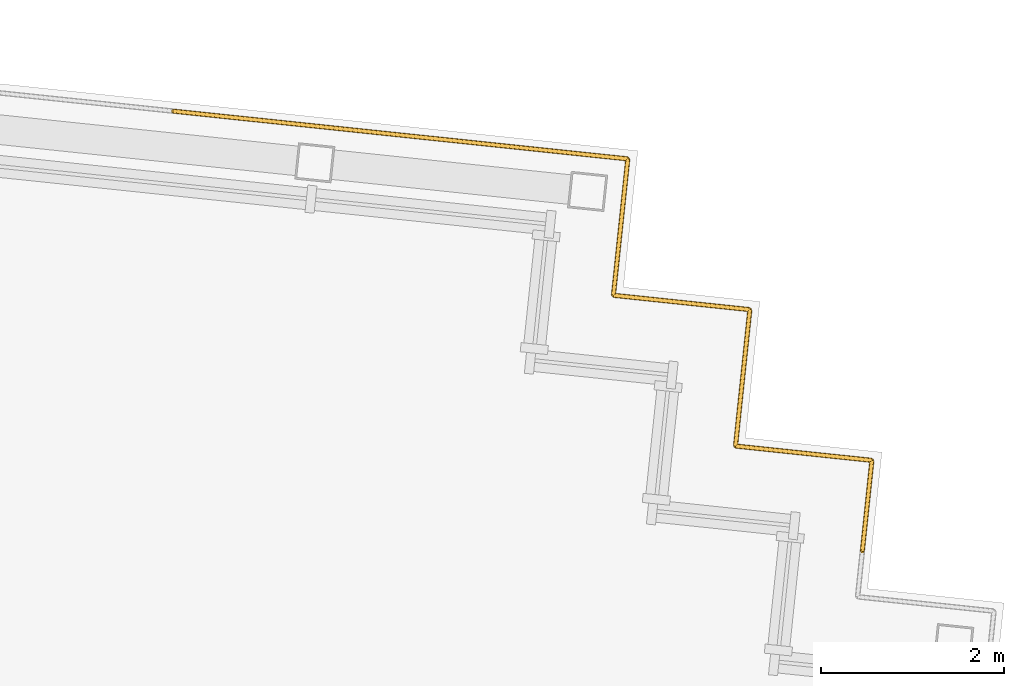
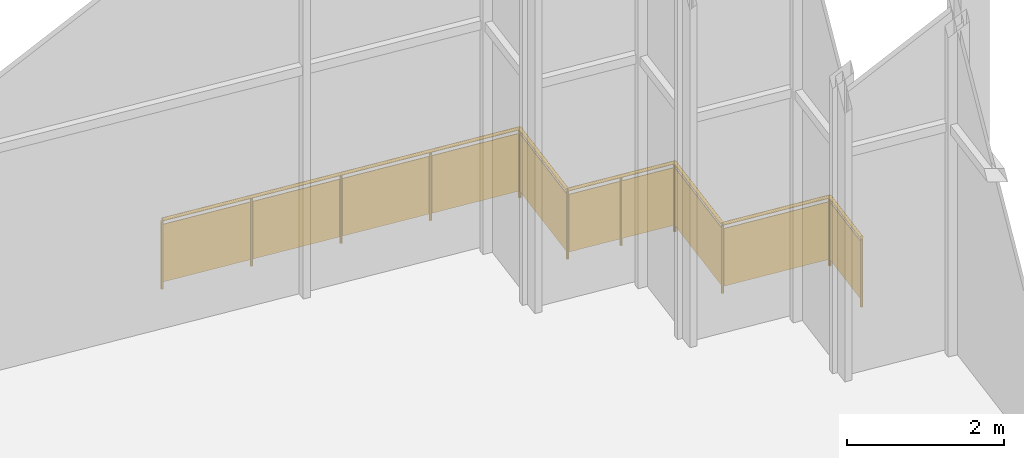
# One storey, part 14 of 14: 1 railing.
"""IFC4 building model written with IfcOpenShell, lengths in metres."""

from ifc_helpers import new_model, si_unit, direction, frame, origin, origin_2d, place, context, subcontext, project, spatial, rectangle, circle, extrude, material, type_object, element, save


model = new_model("IFC4")

# Units and contexts
model_context = context("Model", 3, precision=1e-05, world=origin(), true_north=direction((0.0, 1.0)))
body_context = subcontext(model_context, "Body", "Model", "MODEL_VIEW")
ifc_project = project(units=[si_unit("LENGTHUNIT", "METRE"), si_unit("AREAUNIT", "SQUARE_METRE"), si_unit("VOLUMEUNIT", "CUBIC_METRE"), si_unit("PLANEANGLEUNIT", "RADIAN"), si_unit("MASSUNIT", "GRAM", prefix="KILO")], contexts=[model_context])

# Site, building, storey
site_placement = place(None, origin())
site = spatial("IfcSite", under=ifc_project, at=site_placement, CompositionType="ELEMENT")
building_placement = place(site_placement, origin())
building = spatial("IfcBuilding", under=site, at=building_placement, Name="Vidyagriha Tower", CompositionType="ELEMENT")
storey_placement = place(building_placement, frame((0.0, 0.0, 301.699951171875)))
storey = spatial("IfcBuildingStorey", under=building, at=storey_placement, Name="L78", CompositionType="ELEMENT", Elevation=301.699951171875)

# Railing
ifc_material = material(Name="Steel ASTM A500 Grade C black painted", Category="steel")
railing_type = type_object("IfcRailingType", Name="Gallery guard 1100", PredefinedType="GUARDRAIL", material=ifc_material)
railing_placement = place(storey_placement, frame((24.288818359375, 19.227294921875, 0.0)))
element("IfcRailing", 1, at=railing_placement, inside=storey, type_object=railing_type, Name="Gallery guard L78 13", PredefinedType="GUARDRAIL", context=body_context, shape_type="SweptSolid", body=[
    extrude(circle(Radius=0.02490234375, at=origin_2d()), frame((0.0, 0.0, 1.0751953125), z_axis=(0.994520692635, -0.104539905878, 0.0), x_axis=(0.104539905878, 0.994520692635, 0.0)), (0.0, 0.0, 1.0), 5.0),
    extrude(circle(Radius=0.02490234375, at=origin_2d()), frame((4.97265625, -0.522705078125, 1.0751953125), z_axis=(-0.104659366031, -0.994508128223, 0.0), x_axis=(0.994508128223, -0.104659366031, 0.0)), (0.0, 0.0, 1.0), 1.5),
    extrude(circle(Radius=0.02490234375, at=origin_2d()), frame((4.815673828125, -2.014404296875, 1.0751953125), z_axis=(0.994509910675, -0.104642427191, 0.0), x_axis=(0.104642427191, 0.994509910675, 0.0)), (0.0, 0.0, 1.0), 1.500244140625),
    extrude(circle(Radius=0.02490234375, at=origin_2d()), frame((6.3076171875, -2.17138671875, 1.0751953125), z_axis=(-0.104498377516, -0.994525057048, 0.0), x_axis=(0.994525057048, -0.104498377516, 0.0)), (0.0, 0.0, 1.0), 1.5),
    extrude(circle(Radius=0.02490234375, at=origin_2d()), frame((6.15087890625, -3.6630859375, 1.0751953125), z_axis=(0.994525057048, -0.104498377516, 0.0), x_axis=(0.104498377516, 0.994525057048, 0.0)), (0.0, 0.0, 1.0), 1.5),
    extrude(circle(Radius=0.02490234375, at=origin_2d()), frame((7.642578125, -3.81982421875, 1.0751953125), z_axis=(-0.104481464157, -0.994526834051, 0.0), x_axis=(0.994526834051, -0.104481464157, 0.0)), (0.0, 0.0, 1.0), 1.0),
    extrude(circle(Radius=0.02001953125, at=origin_2d()), origin(), (0.0, 0.0, 1.0), 1.050048828125),
    extrude(circle(Radius=0.02001953125, at=origin_2d()), frame((1.2431640625, -0.130615234375, 0.0)), (0.0, 0.0, 1.0), 1.050048828125),
    extrude(circle(Radius=0.02001953125, at=origin_2d()), frame((2.486328125, -0.26123046875, 0.0)), (0.0, 0.0, 1.0), 1.050048828125),
    extrude(circle(Radius=0.02001953125, at=origin_2d()), frame((3.7294921875, -0.39208984375, 0.0)), (0.0, 0.0, 1.0), 1.050048828125),
    extrude(circle(Radius=0.02001953125, at=origin_2d()), frame((4.97265625, -0.522705078125, 0.0)), (0.0, 0.0, 1.0), 1.050048828125),
    extrude(circle(Radius=0.02001953125, at=origin_2d()), frame((4.815673828125, -2.014404296875, 0.0)), (0.0, 0.0, 1.0), 1.050048828125),
    extrude(circle(Radius=0.02001953125, at=origin_2d()), frame((5.5615234375, -2.0927734375, 0.0)), (0.0, 0.0, 1.0), 1.050048828125),
    extrude(circle(Radius=0.02001953125, at=origin_2d()), frame((6.3076171875, -2.17138671875, 0.0)), (0.0, 0.0, 1.0), 1.050048828125),
    extrude(circle(Radius=0.02001953125, at=origin_2d()), frame((6.15087890625, -3.6630859375, 0.0)), (0.0, 0.0, 1.0), 1.050048828125),
    extrude(circle(Radius=0.02001953125, at=origin_2d()), frame((7.642578125, -3.81982421875, 0.0)), (0.0, 0.0, 1.0), 1.050048828125),
    extrude(circle(Radius=0.02001953125, at=origin_2d()), frame((7.5380859375, -4.814453125, 0.0)), (0.0, 0.0, 1.0), 1.050048828125),
    extrude(rectangle(XDim=0.010009765625, YDim=0.900146484375, at=origin_2d()), frame((0.0, 0.0, 0.550048828125), z_axis=(0.994520692635, -0.104539905878, 0.0), x_axis=(0.104539905878, 0.994520692635, 0.0)), (0.0, 0.0, 1.0), 5.0),
    extrude(rectangle(XDim=0.010009765625, YDim=0.900146484375, at=origin_2d()), frame((4.97265625, -0.522705078125, 0.550048828125), z_axis=(-0.104659366031, -0.994508128223, 0.0), x_axis=(0.994508128223, -0.104659366031, 0.0)), (0.0, 0.0, 1.0), 1.5),
    extrude(rectangle(XDim=0.010009765625, YDim=0.900146484375, at=origin_2d()), frame((4.815673828125, -2.014404296875, 0.550048828125), z_axis=(0.994509910675, -0.104642427191, 0.0), x_axis=(0.104642427191, 0.994509910675, 0.0)), (0.0, 0.0, 1.0), 1.500244140625),
    extrude(rectangle(XDim=0.010009765625, YDim=0.900146484375, at=origin_2d()), frame((6.3076171875, -2.17138671875, 0.550048828125), z_axis=(-0.104498377516, -0.994525057048, 0.0), x_axis=(0.994525057048, -0.104498377516, 0.0)), (0.0, 0.0, 1.0), 1.5),
    extrude(rectangle(XDim=0.010009765625, YDim=0.900146484375, at=origin_2d()), frame((6.15087890625, -3.6630859375, 0.550048828125), z_axis=(0.994525057048, -0.104498377516, 0.0), x_axis=(0.104498377516, 0.994525057048, 0.0)), (0.0, 0.0, 1.0), 1.5),
    extrude(rectangle(XDim=0.010009765625, YDim=0.900146484375, at=origin_2d()), frame((7.642578125, -3.81982421875, 0.550048828125), z_axis=(-0.104481464157, -0.994526834051, 0.0), x_axis=(0.994526834051, -0.104481464157, 0.0)), (0.0, 0.0, 1.0), 1.0),
])

save(model, "model.ifc")
